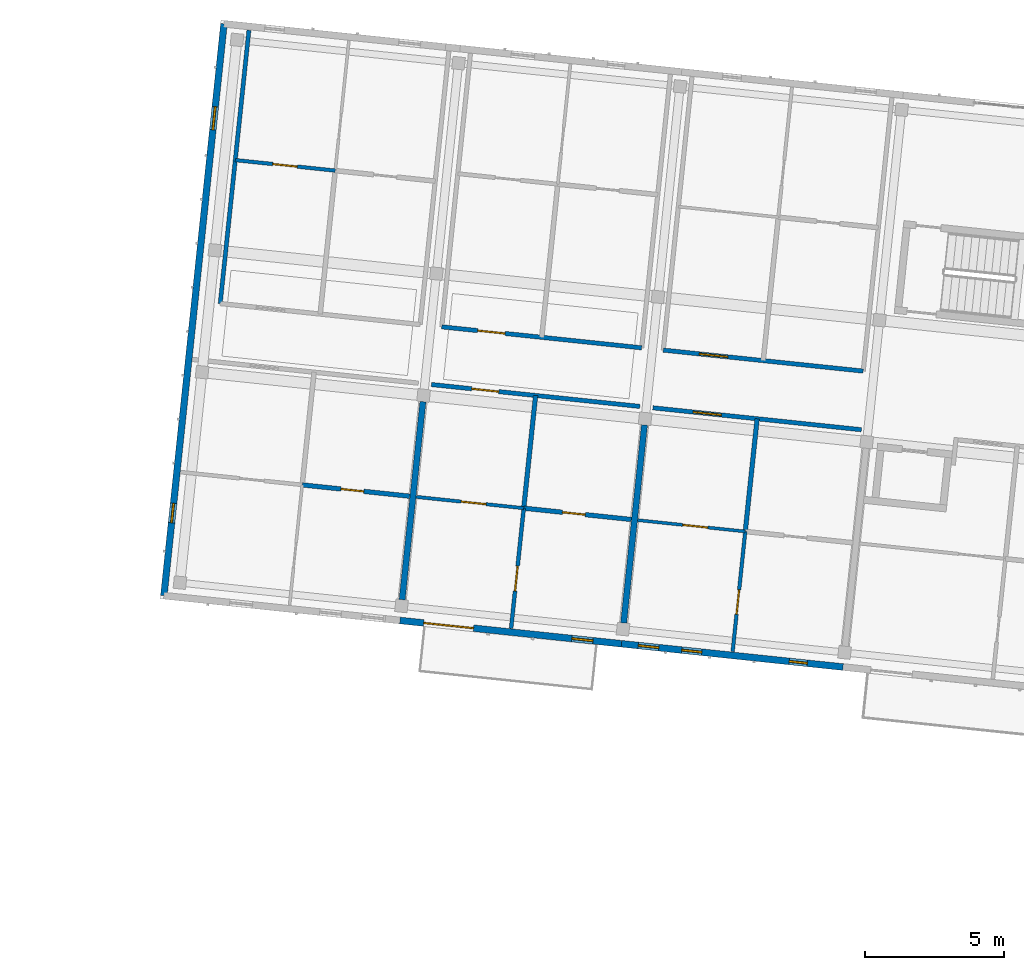
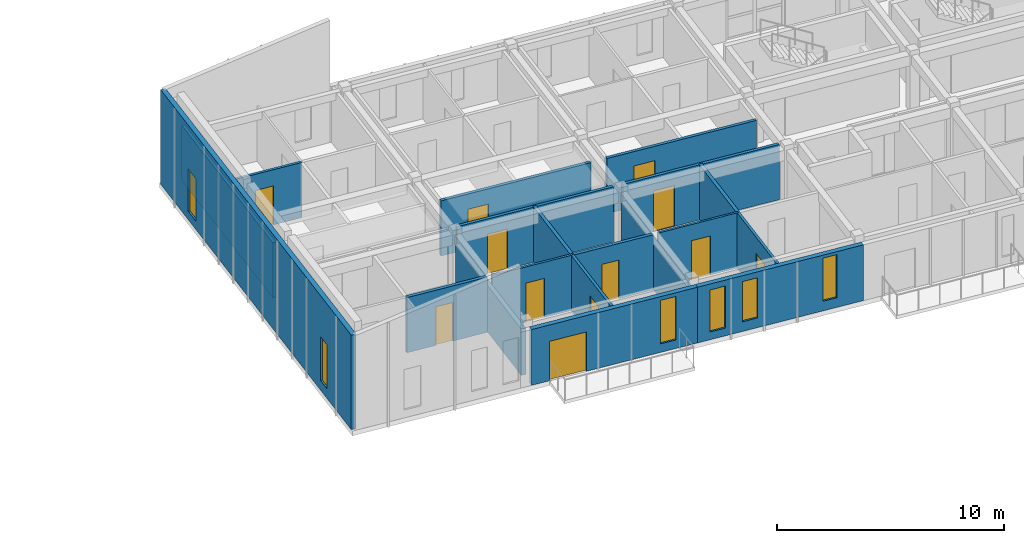
# One storey, part 24 of 45: 19 walls, 12 doors, 6 windows, 18 openings.
"""IFC4 building model written with IfcOpenShell, lengths in metres."""

from ifc_helpers import new_model, si_unit, direction, frame, frame_2d, origin, place, context, subcontext, project, spatial, rectangle, extrude, material, layer, layer_set, type_object, element, fill, save


model = new_model("IFC4")

# Units and contexts
model_context = context("Model", 3, precision=1e-05, world=origin(), true_north=direction((0.0, 1.0)))
body_context = subcontext(model_context, "Body", "Model", "MODEL_VIEW")
ifc_project = project(units=[si_unit("LENGTHUNIT", "METRE"), si_unit("AREAUNIT", "SQUARE_METRE"), si_unit("VOLUMEUNIT", "CUBIC_METRE"), si_unit("PLANEANGLEUNIT", "RADIAN"), si_unit("MASSUNIT", "GRAM", prefix="KILO")], contexts=[model_context])

# Site, building, storey
site_placement = place(None, origin())
site = spatial("IfcSite", under=ifc_project, at=site_placement, CompositionType="ELEMENT")
building_placement = place(site_placement, origin())
building = spatial("IfcBuilding", under=site, at=building_placement, Name="Kestramere Prow Commons", CompositionType="ELEMENT")
storey_placement = place(building_placement, frame((0.0, 0.0, 31.14990234375)))
storey = spatial("IfcBuildingStorey", under=building, at=storey_placement, Name="L09", CompositionType="ELEMENT", Elevation=31.14990234375)

# Wall, openings, door, window
ifc_material_1 = material(Name="Fluoropolymer Standing-Seam Zinc-Aluminium Cladding", Category="aluminium")
ifc_layer_1 = layer(ifc_material_1, 0.239990234375)
ifc_layer_set_1 = layer_set([ifc_layer_1], Name="Fluoropolymer Standing-Seam Zinc-Aluminium Cladding")
wall_type_1 = type_object("IfcWallType", Name="EW-SEAM-240", PredefinedType="SOLIDWALL", material=ifc_layer_set_1)
wall_1_placement = place(storey_placement, frame((125.857421875, 92.60546875, 0.0), z_axis=(0.0, 0.0, 1.0), x_axis=(-0.994522329422, 0.104524333444, 0.0)))
wall_1 = element("IfcWall", 1, at=wall_1_placement, inside=storey, type_object=wall_type_1, Name="Block B L09 South Standing-Seam Wall 2", PredefinedType="SOLIDWALL", context=body_context, shape_type="SweptSolid", body=[
    extrude(rectangle(XDim=7.999755859375, YDim=0.239990234375, at=frame_2d((4.0, 0.0))), origin(), (0.0, 0.0, 1.0), 3.0),
])
opening_1_placement = place(wall_1_placement, frame((5.344970703125, 0.0, 0.0)))
opening_1 = element("IfcOpeningElement", 2, at=opening_1_placement, cuts=wall_1, Name="Opening GD-BAL-02", PredefinedType="OPENING", context=body_context, shape_type="SweptSolid", body=[
    extrude(rectangle(XDim=1.800048828125, YDim=2.1201171875, at=frame_2d((0.89990234375, 1.06005859375))), frame((0.0, 0.135009765625, 0.0), z_axis=(0.0, -1.0, 0.0), x_axis=(1.0, 0.0, 0.0)), (0.0, 0.0, 1.0), 0.27001953125),
])
opening_2_placement = place(wall_1_placement, frame((1.030029296875, 0.0, 0.4599609375)))
opening_2 = element("IfcOpeningElement", 3, at=opening_2_placement, cuts=wall_1, Name="Opening WN-10", PredefinedType="OPENING", context=body_context, shape_type="SweptSolid", body=[
    extrude(rectangle(XDim=0.760009765625, YDim=2.340087890625, at=frame_2d((0.3798828125, 1.169921875))), frame((0.0, 0.135009765625, 0.0), z_axis=(0.0, -1.0, 0.0), x_axis=(1.0, 0.0, 0.0)), (0.0, 0.0, 1.0), 0.27001953125),
])
ifc_material_2 = material(Name="Thermally-Broken Anodised Aluminium Glazed", Category="aluminium")
door_type_1 = type_object("IfcDoorType", Name="GD-BAL-1800", OperationType="SLIDING_TO_LEFT", PredefinedType="DOOR", material=ifc_material_2)
door_1_placement = place(opening_1_placement, origin())
door_1 = element("IfcDoor", 4, at=door_1_placement, inside=storey, type_object=door_type_1, Name="Block B L09 Balcony Door 2", OperationType="SLIDING_TO_LEFT", OverallHeight=2.1201171875, OverallWidth=1.800048828125, PredefinedType="DOOR", context=body_context, shape_type="SweptSolid", body=[
    extrude(rectangle(XDim=1.800048828125, YDim=2.1201171875, at=frame_2d((0.89990234375, 1.06005859375))), frame((0.0, 0.02490234375, 0.0), z_axis=(0.0, -1.0, 0.0), x_axis=(1.0, 0.0, 0.0)), (0.0, 0.0, 1.0), 0.050048828125),
])
fill(opening_1, door_1)
ifc_material_3 = material(Name="Low-E Laminated Double Glazing", Category="glass")
window_type_1 = type_object("IfcWindowType", Name="WN-NAR-760A", PartitioningType="SINGLE_PANEL", PredefinedType="WINDOW", material=ifc_material_3)
window_1_placement = place(opening_2_placement, origin())
window_1 = element("IfcWindow", 5, at=window_1_placement, inside=storey, type_object=window_type_1, Name="WN-B-L09-SR-1", OverallHeight=2.340087890625, OverallWidth=0.760009765625, PartitioningType="SINGLE_PANEL", PredefinedType="WINDOW", context=body_context, shape_type="SweptSolid", body=[
    extrude(rectangle(XDim=0.760009765625, YDim=2.340087890625, at=frame_2d((0.3798828125, 1.169921875))), frame((0.0, 0.030029296875, 0.0), z_axis=(0.0, -1.0, 0.0), x_axis=(1.0, 0.0, 0.0)), (0.0, 0.0, 1.0), 0.06005859375),
])
fill(opening_2, window_1)

# Wall, openings, windows
wall_2_placement = place(storey_placement, frame((133.813720703125, 91.769287109375, 0.0), z_axis=(0.0, 0.0, 1.0), x_axis=(-0.994522662826, 0.104521161134, 0.0)))
wall_2 = element("IfcWall", 6, at=wall_2_placement, inside=storey, type_object=wall_type_1, Name="Block B L09 South Standing-Seam Wall 3", PredefinedType="SOLIDWALL", context=body_context, shape_type="SweptSolid", body=[
    extrude(rectangle(XDim=8.0, YDim=0.239990234375, at=frame_2d((4.0, 0.0))), origin(), (0.0, 0.0, 1.0), 3.0),
])
opening_3_placement = place(wall_2_placement, frame((1.284912109375, 0.0, 0.52001953125)))
opening_3 = element("IfcOpeningElement", 7, at=opening_3_placement, cuts=wall_2, Name="Opening WN-05", PredefinedType="OPENING", context=body_context, shape_type="SweptSolid", body=[
    extrude(rectangle(XDim=0.659912109375, YDim=2.320068359375, at=frame_2d((0.330078125, 1.16015625))), frame((0.0, 0.135009765625, 0.0), z_axis=(0.0, -1.0, 0.0), x_axis=(1.0, 0.0, 0.0)), (0.0, 0.0, 1.0), 0.27001953125),
])
opening_4_placement = place(wall_2_placement, frame((5.10009765625, 0.0, 0.52001953125)))
opening_4 = element("IfcOpeningElement", 8, at=opening_4_placement, cuts=wall_2, Name="Opening WN-08", PredefinedType="OPENING", context=body_context, shape_type="SweptSolid", body=[
    extrude(rectangle(XDim=0.719970703125, YDim=2.159912109375, at=frame_2d((0.35986328125, 1.080078125))), frame((0.0, 0.135009765625, 0.0), z_axis=(0.0, -1.0, 0.0), x_axis=(1.0, 0.0, 0.0)), (0.0, 0.0, 1.0), 0.27001953125),
])
opening_5_placement = place(wall_2_placement, frame((6.64990234375, 0.0, 0.419921875)))
opening_5 = element("IfcOpeningElement", 9, at=opening_5_placement, cuts=wall_2, Name="Opening WN-09", PredefinedType="OPENING", context=body_context, shape_type="SweptSolid", body=[
    extrude(rectangle(XDim=0.739990234375, YDim=2.260009765625, at=frame_2d((0.3701171875, 1.1298828125))), frame((0.0, 0.135009765625, 0.0), z_axis=(0.0, -1.0, 0.0), x_axis=(1.0, 0.0, 0.0)), (0.0, 0.0, 1.0), 0.27001953125),
])
window_type_2 = type_object("IfcWindowType", Name="WN-NAR-660A", PartitioningType="SINGLE_PANEL", PredefinedType="WINDOW", material=ifc_material_3)
window_2_placement = place(opening_3_placement, origin())
window_2 = element("IfcWindow", 10, at=window_2_placement, inside=storey, type_object=window_type_2, Name="WN-B-L09-S-2-00", OverallHeight=2.320068359375, OverallWidth=0.659912109375, PartitioningType="SINGLE_PANEL", PredefinedType="WINDOW", context=body_context, shape_type="SweptSolid", body=[
    extrude(rectangle(XDim=0.659912109375, YDim=2.320068359375, at=frame_2d((0.330078125, 1.16015625))), frame((0.0, 0.030029296875, 0.0), z_axis=(0.0, -1.0, 0.0), x_axis=(1.0, 0.0, 0.0)), (0.0, 0.0, 1.0), 0.06005859375),
])
fill(opening_3, window_2)
window_type_3 = type_object("IfcWindowType", Name="WN-NAR-720A", PartitioningType="SINGLE_PANEL", PredefinedType="WINDOW", material=ifc_material_3)
window_3_placement = place(opening_4_placement, origin())
window_3 = element("IfcWindow", 11, at=window_3_placement, inside=storey, type_object=window_type_3, Name="WN-B-L09-S-2-10", OverallHeight=2.159912109375, OverallWidth=0.719970703125, PartitioningType="SINGLE_PANEL", PredefinedType="WINDOW", context=body_context, shape_type="SweptSolid", body=[
    extrude(rectangle(XDim=0.719970703125, YDim=2.159912109375, at=frame_2d((0.35986328125, 1.080078125))), frame((0.0, 0.030029296875, 0.0), z_axis=(0.0, -1.0, 0.0), x_axis=(1.0, 0.0, 0.0)), (0.0, 0.0, 1.0), 0.06005859375),
])
fill(opening_4, window_3)
window_type_4 = type_object("IfcWindowType", Name="WN-NAR-740A", PartitioningType="SINGLE_PANEL", PredefinedType="WINDOW", material=ifc_material_3)
window_4_placement = place(opening_5_placement, origin())
window_4 = element("IfcWindow", 12, at=window_4_placement, inside=storey, type_object=window_type_4, Name="WN-B-L09-S-2-11", OverallHeight=2.260009765625, OverallWidth=0.739990234375, PartitioningType="SINGLE_PANEL", PredefinedType="WINDOW", context=body_context, shape_type="SweptSolid", body=[
    extrude(rectangle(XDim=0.739990234375, YDim=2.260009765625, at=frame_2d((0.3701171875, 1.1298828125))), frame((0.0, 0.030029296875, 0.0), z_axis=(0.0, -1.0, 0.0), x_axis=(1.0, 0.0, 0.0)), (0.0, 0.0, 1.0), 0.06005859375),
])
fill(opening_5, window_4)

wall_3_placement = place(storey_placement, frame((109.423095703125, 94.332763671875, 0.0), z_axis=(0.0, 0.0, 1.0), x_axis=(0.1045253859, 0.994522218808, 0.0)))
wall_3 = element("IfcWall", 13, at=wall_3_placement, inside=storey, type_object=wall_type_1, Name="Block B L09 EAV Facet Wall", PredefinedType="SOLIDWALL", context=body_context, shape_type="SweptSolid", body=[
    extrude(rectangle(XDim=20.64990234375, YDim=0.239990234375, at=frame_2d((10.324951171875, 0.0))), origin(), (0.0, 0.0, 1.0), 5.08447265625),
])
opening_6_placement = place(wall_3_placement, frame((2.6298828125, 0.0, 0.52001953125)))
opening_6 = element("IfcOpeningElement", 14, at=opening_6_placement, cuts=wall_3, Name="Opening WN-07", PredefinedType="OPENING", context=body_context, shape_type="SweptSolid", body=[
    extrude(rectangle(XDim=0.699951171875, YDim=2.360107421875, at=frame_2d((0.35009765625, 1.18017578125))), frame((0.0, 0.135009765625, 0.0), z_axis=(0.0, -1.0, 0.0), x_axis=(1.0, 0.0, 0.0)), (0.0, 0.0, 1.0), 0.27001953125),
])
opening_7_placement = place(wall_3_placement, frame((16.820068359375, 0.0, 0.449951171875)))
opening_7 = element("IfcOpeningElement", 15, at=opening_7_placement, cuts=wall_3, Name="Opening WN-14", PredefinedType="OPENING", context=body_context, shape_type="SweptSolid", body=[
    extrude(rectangle(XDim=0.840087890625, YDim=2.280029296875, at=frame_2d((0.419921875, 1.14013671875))), frame((0.0, 0.135009765625, 0.0), z_axis=(0.0, -1.0, 0.0), x_axis=(1.0, 0.0, 0.0)), (0.0, 0.0, 1.0), 0.27001953125),
])
window_type_5 = type_object("IfcWindowType", Name="WN-NAR-700A", PartitioningType="SINGLE_PANEL", PredefinedType="WINDOW", material=ifc_material_3)
window_5_placement = place(opening_6_placement, origin())
window_5 = element("IfcWindow", 16, at=window_5_placement, inside=storey, type_object=window_type_5, Name="WN-B-L09-EAV-0", OverallHeight=2.360107421875, OverallWidth=0.699951171875, PartitioningType="SINGLE_PANEL", PredefinedType="WINDOW", context=body_context, shape_type="SweptSolid", body=[
    extrude(rectangle(XDim=0.699951171875, YDim=2.360107421875, at=frame_2d((0.35009765625, 1.18017578125))), frame((0.0, 0.030029296875, 0.0), z_axis=(0.0, -1.0, 0.0), x_axis=(1.0, 0.0, 0.0)), (0.0, 0.0, 1.0), 0.06005859375),
])
fill(opening_6, window_5)
window_type_6 = type_object("IfcWindowType", Name="WN-NAR-840A", PartitioningType="DOUBLE_PANEL_VERTICAL", PredefinedType="WINDOW", material=ifc_material_3)
window_6_placement = place(opening_7_placement, origin())
window_6 = element("IfcWindow", 17, at=window_6_placement, inside=storey, type_object=window_type_6, Name="WN-B-L09-EAV-1", OverallHeight=2.280029296875, OverallWidth=0.840087890625, PartitioningType="SINGLE_PANEL", PredefinedType="WINDOW", context=body_context, shape_type="SweptSolid", body=[
    extrude(rectangle(XDim=0.840087890625, YDim=2.280029296875, at=frame_2d((0.419921875, 1.14013671875))), frame((0.0, 0.030029296875, 0.0), z_axis=(0.0, -1.0, 0.0), x_axis=(1.0, 0.0, 0.0)), (0.0, 0.0, 1.0), 0.06005859375),
])
fill(opening_7, window_6)

# Wall, opening, door
ifc_material_4 = material(Name="Fire-Rated Calcium Silicate Wall")
ifc_layer_2 = layer(ifc_material_4, 0.155029296875)
ifc_layer_set_2 = layer_set([ifc_layer_2], Name="Fire-Rated Calcium Silicate Wall")
wall_type_2 = type_object("IfcWallType", Name="W-FIRE-150", PredefinedType="PARTITIONING", material=ifc_layer_set_2)
wall_4_placement = place(storey_placement, frame((119.0283203125, 101.915283203125, 0.0), z_axis=(0.0, 0.0, 1.0), x_axis=(0.994521430918, -0.10453288212, 0.0)))
wall_4 = element("IfcWall", 18, at=wall_4_placement, inside=storey, type_object=wall_type_2, Name="Interior Partition PW-B-L09-CS-1", PredefinedType="PARTITIONING", context=body_context, shape_type="SweptSolid", body=[
    extrude(rectangle(XDim=7.52978515625, YDim=0.155029296875, at=frame_2d((3.764892578125, 0.0))), origin(), (0.0, 0.0, 1.0), 2.97021484375),
])
opening_8_placement = place(wall_4_placement, frame((1.455078125, 0.0, 0.0)))
opening_8 = element("IfcOpeningElement", 19, at=opening_8_placement, cuts=wall_4, Name="Opening ID-04", PredefinedType="OPENING", context=body_context, shape_type="SweptSolid", body=[
    extrude(rectangle(XDim=0.97998046875, YDim=2.14990234375, at=frame_2d((0.489990234375, 1.074951171875))), frame((0.0, 0.092529296875, 0.0), z_axis=(0.0, -1.0, 0.0), x_axis=(1.0, 0.0, 0.0)), (0.0, 0.0, 1.0), 0.18505859375),
])
ifc_material_5 = material(Name="Hardwood Fire-Rated Flat Entrance Door", Category="wood")
door_type_2 = type_object("IfcDoorType", Name="FD-ENT-01", OperationType="NOTDEFINED", PredefinedType="DOOR", material=ifc_material_5)
door_2_placement = place(opening_8_placement, origin())
door_2 = element("IfcDoor", 20, at=door_2_placement, inside=storey, type_object=door_type_2, Name="Interior Door DR-B-L09-ENT-S1", OperationType="SINGLE_SWING_LEFT", OverallHeight=2.14990234375, OverallWidth=0.97998046875, PredefinedType="DOOR", context=body_context, shape_type="SweptSolid", body=[
    extrude(rectangle(XDim=0.97998046875, YDim=2.14990234375, at=frame_2d((0.489990234375, 1.074951171875))), frame((0.0, 0.02490234375, 0.0), z_axis=(0.0, -1.0, 0.0), x_axis=(1.0, 0.0, 0.0)), (0.0, 0.0, 1.0), 0.050048828125),
])
fill(opening_8, door_2)

wall_5_placement = place(storey_placement, frame((126.984375, 101.0791015625, 0.0), z_axis=(0.0, 0.0, 1.0), x_axis=(0.994521785195, -0.104529511491, 0.0)))
wall_5 = element("IfcWall", 21, at=wall_5_placement, inside=storey, type_object=wall_type_2, Name="Interior Partition PW-B-L09-CS-2", PredefinedType="PARTITIONING", context=body_context, shape_type="SweptSolid", body=[
    extrude(rectangle(XDim=7.530029296875, YDim=0.155029296875, at=frame_2d((3.76513671875, 0.0))), origin(), (0.0, 0.0, 1.0), 2.97021484375),
])
opening_9_placement = place(wall_5_placement, frame((1.455078125, 0.0, 0.0)))
opening_9 = element("IfcOpeningElement", 22, at=opening_9_placement, cuts=wall_5, Name="Opening ID-05", PredefinedType="OPENING", context=body_context, shape_type="SweptSolid", body=[
    extrude(rectangle(XDim=1.02001953125, YDim=2.199951171875, at=frame_2d((0.510009765625, 1.10009765625))), frame((0.0, 0.092529296875, 0.0), z_axis=(0.0, -1.0, 0.0), x_axis=(1.0, 0.0, 0.0)), (0.0, 0.0, 1.0), 0.18505859375),
])
door_type_3 = type_object("IfcDoorType", Name="FD-ENT-02", OperationType="NOTDEFINED", PredefinedType="DOOR", material=ifc_material_5)
door_3_placement = place(opening_9_placement, origin())
door_3 = element("IfcDoor", 23, at=door_3_placement, inside=storey, type_object=door_type_3, Name="Interior Door DR-B-L09-ENT-S2", OperationType="SINGLE_SWING_RIGHT", OverallHeight=2.199951171875, OverallWidth=1.02001953125, PredefinedType="DOOR", context=body_context, shape_type="SweptSolid", body=[
    extrude(rectangle(XDim=1.02001953125, YDim=2.199951171875, at=frame_2d((0.510009765625, 1.10009765625))), frame((0.0, 0.02490234375, 0.0), z_axis=(0.0, -1.0, 0.0), x_axis=(1.0, 0.0, 0.0)), (0.0, 0.0, 1.0), 0.050048828125),
])
fill(opening_9, door_3)

wall_6_placement = place(storey_placement, frame((119.40185546875, 103.987548828125, 0.0), z_axis=(0.0, 0.0, 1.0), x_axis=(0.994522671024, -0.104521083137, 0.0)))
wall_6 = element("IfcWall", 24, at=wall_6_placement, inside=storey, type_object=wall_type_2, Name="Interior Partition PW-B-L09-CN-1", PredefinedType="PARTITIONING", context=body_context, shape_type="SweptSolid", body=[
    extrude(rectangle(XDim=7.219970703125, YDim=0.155029296875, at=frame_2d((3.60986328125, 0.0))), origin(), (0.0, 0.0, 1.0), 2.97021484375),
])
opening_10_placement = place(wall_6_placement, frame((1.304931640625, 0.0, 0.0)))
opening_10 = element("IfcOpeningElement", 25, at=opening_10_placement, cuts=wall_6, Name="Opening ID-04", PredefinedType="OPENING", context=body_context, shape_type="SweptSolid", body=[
    extrude(rectangle(XDim=0.97998046875, YDim=2.14990234375, at=frame_2d((0.489990234375, 1.074951171875))), frame((0.0, 0.092529296875, 0.0), z_axis=(0.0, -1.0, 0.0), x_axis=(1.0, 0.0, 0.0)), (0.0, 0.0, 1.0), 0.18505859375),
])
door_4_placement = place(opening_10_placement, origin())
door_4 = element("IfcDoor", 26, at=door_4_placement, inside=storey, type_object=door_type_2, Name="Interior Door DR-B-L09-ENT-N1", OperationType="SINGLE_SWING_LEFT", OverallHeight=2.14990234375, OverallWidth=0.97998046875, PredefinedType="DOOR", context=body_context, shape_type="SweptSolid", body=[
    extrude(rectangle(XDim=0.97998046875, YDim=2.14990234375, at=frame_2d((0.489990234375, 1.074951171875))), frame((0.0, 0.02490234375, 0.0), z_axis=(0.0, -1.0, 0.0), x_axis=(1.0, 0.0, 0.0)), (0.0, 0.0, 1.0), 0.050048828125),
])
fill(opening_10, door_4)

wall_7_placement = place(storey_placement, frame((127.358154296875, 103.1513671875, 0.0), z_axis=(0.0, 0.0, 1.0), x_axis=(0.994522671024, -0.104521083137, 0.0)))
wall_7 = element("IfcWall", 27, at=wall_7_placement, inside=storey, type_object=wall_type_2, Name="Interior Partition PW-B-L09-CN-2", PredefinedType="PARTITIONING", context=body_context, shape_type="SweptSolid", body=[
    extrude(rectangle(XDim=7.219970703125, YDim=0.155029296875, at=frame_2d((3.60986328125, 0.0))), origin(), (0.0, 0.0, 1.0), 2.97021484375),
])
opening_11_placement = place(wall_7_placement, frame((1.304931640625, 0.0, 0.0)))
opening_11 = element("IfcOpeningElement", 28, at=opening_11_placement, cuts=wall_7, Name="Opening ID-05", PredefinedType="OPENING", context=body_context, shape_type="SweptSolid", body=[
    extrude(rectangle(XDim=1.02001953125, YDim=2.199951171875, at=frame_2d((0.510009765625, 1.10009765625))), frame((0.0, 0.092529296875, 0.0), z_axis=(0.0, -1.0, 0.0), x_axis=(1.0, 0.0, 0.0)), (0.0, 0.0, 1.0), 0.18505859375),
])
door_5_placement = place(opening_11_placement, origin())
door_5 = element("IfcDoor", 29, at=door_5_placement, inside=storey, type_object=door_type_3, Name="Interior Door DR-B-L09-ENT-N2", OperationType="SINGLE_SWING_RIGHT", OverallHeight=2.199951171875, OverallWidth=1.02001953125, PredefinedType="DOOR", context=body_context, shape_type="SweptSolid", body=[
    extrude(rectangle(XDim=1.02001953125, YDim=2.199951171875, at=frame_2d((0.510009765625, 1.10009765625))), frame((0.0, 0.02490234375, 0.0), z_axis=(0.0, -1.0, 0.0), x_axis=(1.0, 0.0, 0.0)), (0.0, 0.0, 1.0), 0.050048828125),
])
fill(opening_11, door_5)

ifc_material_6 = material(Name="Gypsum Acoustic Drywall")
ifc_layer_3 = layer(ifc_material_6, 0.110107421875)
ifc_layer_set_3 = layer_set([ifc_layer_3], Name="Gypsum Acoustic Drywall")
wall_type_3 = type_object("IfcWallType", Name="W-PART-110", PredefinedType="PARTITIONING", material=ifc_layer_set_3)
wall_8_placement = place(storey_placement, frame((126.439697265625, 97.0439453125, 0.0), z_axis=(0.0, 0.0, 1.0), x_axis=(0.994517154753, -0.104573557378, 0.0)))
wall_8 = element("IfcWall", 30, at=wall_8_placement, inside=storey, type_object=wall_type_3, Name="Interior Partition PW-B-L09-MIDS1-2", PredefinedType="PARTITIONING", context=body_context, shape_type="SweptSolid", body=[
    extrude(rectangle(XDim=3.884765625, YDim=0.110107421875, at=frame_2d((1.9423828125, 0.0))), origin(), (0.0, 0.0, 1.0), 2.97021484375),
])
opening_12_placement = place(wall_8_placement, frame((1.625, 0.0, 0.0)))
opening_12 = element("IfcOpeningElement", 31, at=opening_12_placement, cuts=wall_8, Name="Opening ID-08", PredefinedType="OPENING", context=body_context, shape_type="SweptSolid", body=[
    extrude(rectangle(XDim=0.89990234375, YDim=2.10009765625, at=frame_2d((0.449951171875, 1.050048828125))), frame((0.0, 0.070068359375, 0.0), z_axis=(0.0, -1.0, 0.0), x_axis=(1.0, 0.0, 0.0)), (0.0, 0.0, 1.0), 0.14013671875),
])
ifc_material_7 = material(Name="Engineered Timber Flush Door", Category="wood")
door_type_4 = type_object("IfcDoorType", Name="D-RM-01", OperationType="NOTDEFINED", PredefinedType="DOOR", material=ifc_material_7)
door_6_placement = place(opening_12_placement, origin())
door_6 = element("IfcDoor", 32, at=door_6_placement, inside=storey, type_object=door_type_4, Name="Interior Door DR-B-L09-KL-S2", OperationType="SINGLE_SWING_RIGHT", OverallHeight=2.10009765625, OverallWidth=0.89990234375, PredefinedType="DOOR", context=body_context, shape_type="SweptSolid", body=[
    extrude(rectangle(XDim=0.89990234375, YDim=2.10009765625, at=frame_2d((0.449951171875, 1.050048828125))), frame((0.0, 0.02490234375, 0.0), z_axis=(0.0, -1.0, 0.0), x_axis=(1.0, 0.0, 0.0)), (0.0, 0.0, 1.0), 0.050048828125),
])
fill(opening_12, door_6)

ifc_material_8 = material(Name="Lightweight Blockwork and Plaster", Category="masonry")
ifc_layer_4 = layer(ifc_material_8, 0.1201171875)
ifc_layer_set_4 = layer_set([ifc_layer_4], Name="Lightweight Blockwork and Plaster")
wall_type_4 = type_object("IfcWallType", Name="W-PART-120", PredefinedType="PARTITIONING", material=ifc_layer_set_4)
wall_9_placement = place(storey_placement, frame((118.4833984375, 97.880126953125, 0.0), z_axis=(0.0, 0.0, 1.0), x_axis=(0.994524375082, -0.104504867671, 0.0)))
wall_9 = element("IfcWall", 33, at=wall_9_placement, inside=storey, type_object=wall_type_4, Name="Interior Partition PW-B-L09-MIDS1-1", PredefinedType="PARTITIONING", context=body_context, shape_type="SweptSolid", body=[
    extrude(rectangle(XDim=3.885009765625, YDim=0.1201171875, at=frame_2d((1.9423828125, 0.0))), origin(), (0.0, 0.0, 1.0), 2.97021484375),
])
opening_13_placement = place(wall_9_placement, frame((1.625, 0.0, 0.0)))
opening_13 = element("IfcOpeningElement", 34, at=opening_13_placement, cuts=wall_9, Name="Opening ID-08", PredefinedType="OPENING", context=body_context, shape_type="SweptSolid", body=[
    extrude(rectangle(XDim=0.89990234375, YDim=2.10009765625, at=frame_2d((0.449951171875, 1.050048828125))), frame((0.0, 0.074951171875, 0.0), z_axis=(0.0, -1.0, 0.0), x_axis=(1.0, 0.0, 0.0)), (0.0, 0.0, 1.0), 0.150146484375),
])
door_7_placement = place(opening_13_placement, origin())
door_7 = element("IfcDoor", 35, at=door_7_placement, inside=storey, type_object=door_type_4, Name="Interior Door DR-B-L09-KL-S1", OperationType="SINGLE_SWING_RIGHT", OverallHeight=2.10009765625, OverallWidth=0.89990234375, PredefinedType="DOOR", context=body_context, shape_type="SweptSolid", body=[
    extrude(rectangle(XDim=0.89990234375, YDim=2.10009765625, at=frame_2d((0.449951171875, 1.050048828125))), frame((0.0, 0.02490234375, 0.0), z_axis=(0.0, -1.0, 0.0), x_axis=(1.0, 0.0, 0.0)), (0.0, 0.0, 1.0), 0.050048828125),
])
fill(opening_13, door_7)

ifc_layer_5 = layer(ifc_material_8, 0.1298828125)
ifc_layer_set_5 = layer_set([ifc_layer_5], Name="Lightweight Blockwork and Plaster")
wall_type_5 = type_object("IfcWallType", Name="W-PART-130", PredefinedType="PARTITIONING", material=ifc_layer_set_5)
wall_10_placement = place(storey_placement, frame((129.849609375, 92.321533203125, 0.0), z_axis=(0.0, 0.0, 1.0), x_axis=(0.104520797474, 0.994522701046, 0.0)))
wall_10 = element("IfcWall", 36, at=wall_10_placement, inside=storey, type_object=wall_type_5, Name="Interior Partition PW-B-L09-LB-S2", PredefinedType="PARTITIONING", context=body_context, shape_type="SweptSolid", body=[
    extrude(rectangle(XDim=4.33984375, YDim=0.1298828125, at=frame_2d((2.169921875, 0.0))), origin(), (0.0, 0.0, 1.0), 2.97021484375),
])
opening_14_placement = place(wall_10_placement, frame((1.35009765625, 0.0, 0.0)))
opening_14 = element("IfcOpeningElement", 37, at=opening_14_placement, cuts=wall_10, Name="Opening ID-10", PredefinedType="OPENING", context=body_context, shape_type="SweptSolid", body=[
    extrude(rectangle(XDim=0.8798828125, YDim=2.10009765625, at=frame_2d((0.43994140625, 1.050048828125))), frame((0.0, 0.079833984375, 0.0), z_axis=(0.0, -1.0, 0.0), x_axis=(1.0, 0.0, 0.0)), (0.0, 0.0, 1.0), 0.159912109375),
])
ifc_material_9 = material(Name="Engineered Timber Bedroom Door", Category="wood")
door_type_5 = type_object("IfcDoorType", Name="D-RM-03", OperationType="NOTDEFINED", PredefinedType="DOOR", material=ifc_material_9)
door_8_placement = place(opening_14_placement, origin())
door_8 = element("IfcDoor", 38, at=door_8_placement, inside=storey, type_object=door_type_5, Name="Interior Door DR-B-L09-BED-S2", OperationType="SINGLE_SWING_LEFT", OverallHeight=2.10009765625, OverallWidth=0.8798828125, PredefinedType="DOOR", context=body_context, shape_type="SweptSolid", body=[
    extrude(rectangle(XDim=0.8798828125, YDim=2.10009765625, at=frame_2d((0.43994140625, 1.050048828125))), frame((0.0, 0.02490234375, 0.0), z_axis=(0.0, -1.0, 0.0), x_axis=(1.0, 0.0, 0.0)), (0.0, 0.0, 1.0), 0.050048828125),
])
fill(opening_14, door_8)

wall_11_placement = place(storey_placement, frame((111.987060546875, 109.975341796875, 0.0), z_axis=(0.0, 0.0, 1.0), x_axis=(0.994526554618, -0.104484123955, 0.0)))
wall_11 = element("IfcWall", 39, at=wall_11_placement, inside=storey, type_object=wall_type_5, Name="Interior Partition PW-B-L09-MIDN1-0", PredefinedType="PARTITIONING", context=body_context, shape_type="SweptSolid", body=[
    extrude(rectangle(XDim=3.610107421875, YDim=0.1298828125, at=frame_2d((1.80517578125, 0.0))), origin(), (0.0, 0.0, 1.0), 2.97021484375),
])
opening_15_placement = place(wall_11_placement, frame((1.35498046875, 0.0, 0.0)))
opening_15 = element("IfcOpeningElement", 40, at=opening_15_placement, cuts=wall_11, Name="Opening ID-10", PredefinedType="OPENING", context=body_context, shape_type="SweptSolid", body=[
    extrude(rectangle(XDim=0.8798828125, YDim=2.10009765625, at=frame_2d((0.43994140625, 1.050048828125))), frame((0.0, 0.079833984375, 0.0), z_axis=(0.0, -1.0, 0.0), x_axis=(1.0, 0.0, 0.0)), (0.0, 0.0, 1.0), 0.159912109375),
])
door_9_placement = place(opening_15_placement, origin())
door_9 = element("IfcDoor", 41, at=door_9_placement, inside=storey, type_object=door_type_5, Name="Interior Door DR-B-L09-KL-N0", OperationType="SINGLE_SWING_LEFT", OverallHeight=2.10009765625, OverallWidth=0.8798828125, PredefinedType="DOOR", context=body_context, shape_type="SweptSolid", body=[
    extrude(rectangle(XDim=0.8798828125, YDim=2.10009765625, at=frame_2d((0.43994140625, 1.050048828125))), frame((0.0, 0.02490234375, 0.0), z_axis=(0.0, -1.0, 0.0), x_axis=(1.0, 0.0, 0.0)), (0.0, 0.0, 1.0), 0.050048828125),
])
fill(opening_15, door_9)

ifc_material_10 = material(Name="Masonry Compartment Wall", Category="masonry")
ifc_layer_6 = layer(ifc_material_10, 0.139892578125)
ifc_layer_set_6 = layer_set([ifc_layer_6], Name="Masonry Compartment Wall")
wall_type_6 = type_object("IfcWallType", Name="W-PART-140", PredefinedType="PARTITIONING", material=ifc_layer_set_6)
wall_12_placement = place(storey_placement, frame((121.8935546875, 93.15771484375, 0.0), z_axis=(0.0, 0.0, 1.0), x_axis=(0.104514950243, 0.994523315552, 0.0)))
wall_12 = element("IfcWall", 42, at=wall_12_placement, inside=storey, type_object=wall_type_6, Name="Interior Partition PW-B-L09-LB-S1", PredefinedType="PARTITIONING", context=body_context, shape_type="SweptSolid", body=[
    extrude(rectangle(XDim=4.340087890625, YDim=0.139892578125, at=frame_2d((2.169921875, 0.0))), origin(), (0.0, 0.0, 1.0), 2.97021484375),
])
opening_16_placement = place(wall_12_placement, frame((1.35009765625, 0.0, 0.0)))
opening_16 = element("IfcOpeningElement", 43, at=opening_16_placement, cuts=wall_12, Name="Opening ID-08", PredefinedType="OPENING", context=body_context, shape_type="SweptSolid", body=[
    extrude(rectangle(XDim=0.89990234375, YDim=2.10009765625, at=frame_2d((0.449951171875, 1.050048828125))), frame((0.0, 0.0849609375, 0.0), z_axis=(0.0, -1.0, 0.0), x_axis=(1.0, 0.0, 0.0)), (0.0, 0.0, 1.0), 0.169921875),
])
door_10_placement = place(opening_16_placement, origin())
door_10 = element("IfcDoor", 44, at=door_10_placement, inside=storey, type_object=door_type_4, Name="Interior Door DR-B-L09-BED-S1", OperationType="SINGLE_SWING_RIGHT", OverallHeight=2.10009765625, OverallWidth=0.89990234375, PredefinedType="DOOR", context=body_context, shape_type="SweptSolid", body=[
    extrude(rectangle(XDim=0.89990234375, YDim=2.10009765625, at=frame_2d((0.449951171875, 1.050048828125))), frame((0.0, 0.02490234375, 0.0), z_axis=(0.0, -1.0, 0.0), x_axis=(1.0, 0.0, 0.0)), (0.0, 0.0, 1.0), 0.050048828125),
])
fill(opening_16, door_10)

# Wall
ifc_layer_7 = layer(ifc_material_10, 0.14990234375)
ifc_layer_set_7 = layer_set([ifc_layer_7], Name="Masonry Compartment Wall")
wall_type_7 = type_object("IfcWallType", Name="W-PART-150", PredefinedType="PARTITIONING", material=ifc_layer_set_7)
wall_13_placement = place(storey_placement, frame((111.44580078125, 104.82373046875, 0.0), z_axis=(0.0, 0.0, 1.0), x_axis=(0.104508379977, 0.994524006002, 0.0)))
element("IfcWall", 45, at=wall_13_placement, inside=storey, type_object=wall_type_7, Name="Interior Partition PW-B-L09-NWL-0", PredefinedType="PARTITIONING", context=body_context, shape_type="SweptSolid", body=[
    extrude(rectangle(XDim=9.869873046875, YDim=0.14990234375, at=frame_2d((4.93505859375, 0.0))), origin(), (0.0, 0.0, 1.0), 2.97021484375),
])

# Wall, opening, door
ifc_material_11 = material(Name="Waterproof Sanitary Masonry Wall", Category="masonry")
ifc_layer_8 = layer(ifc_material_11, 0.1650390625)
ifc_layer_set_8 = layer_set([ifc_layer_8], Name="Waterproof Sanitary Masonry Wall")
wall_type_8 = type_object("IfcWallType", Name="W-PLUMB-150", PredefinedType="PLUMBINGWALL", material=ifc_layer_set_8)
wall_14_placement = place(storey_placement, frame((114.390869140625, 98.310302734375, 0.0), z_axis=(0.0, 0.0, 1.0), x_axis=(0.994517841934, -0.104567021925, 0.0)))
wall_14 = element("IfcWall", 46, at=wall_14_placement, inside=storey, type_object=wall_type_8, Name="Interior Partition PW-B-L09-MIDS2-0", PredefinedType="PLUMBINGWALL", context=body_context, shape_type="SweptSolid", body=[
    extrude(rectangle(XDim=3.885009765625, YDim=0.1650390625, at=frame_2d((1.9423828125, 0.0))), origin(), (0.0, 0.0, 1.0), 2.97021484375),
])
opening_17_placement = place(wall_14_placement, frame((1.39990234375, 0.0, 0.0)))
opening_17 = element("IfcOpeningElement", 47, at=opening_17_placement, cuts=wall_14, Name="Opening ID-11", PredefinedType="OPENING", context=body_context, shape_type="SweptSolid", body=[
    extrude(rectangle(XDim=0.820068359375, YDim=2.080078125, at=frame_2d((0.41015625, 1.0400390625))), frame((0.0, 0.097412109375, 0.0), z_axis=(0.0, -1.0, 0.0), x_axis=(1.0, 0.0, 0.0)), (0.0, 0.0, 1.0), 0.195068359375),
])
ifc_material_12 = material(Name="Moisture-Resistant Timber Bathroom Door", Category="wood")
door_type_6 = type_object("IfcDoorType", Name="D-BT-01", OperationType="NOTDEFINED", PredefinedType="DOOR", material=ifc_material_12)
door_11_placement = place(opening_17_placement, origin())
door_11 = element("IfcDoor", 48, at=door_11_placement, inside=storey, type_object=door_type_6, Name="Interior Door DR-B-L09-BTH-S0", OperationType="SINGLE_SWING_LEFT", OverallHeight=2.080078125, OverallWidth=0.820068359375, PredefinedType="DOOR", context=body_context, shape_type="SweptSolid", body=[
    extrude(rectangle(XDim=0.820068359375, YDim=2.080078125, at=frame_2d((0.41015625, 1.0400390625))), frame((0.0, 0.02490234375, 0.0), z_axis=(0.0, -1.0, 0.0), x_axis=(1.0, 0.0, 0.0)), (0.0, 0.0, 1.0), 0.050048828125),
])
fill(opening_17, door_11)

wall_15_placement = place(storey_placement, frame((122.34716796875, 97.47412109375, 0.0), z_axis=(0.0, 0.0, 1.0), x_axis=(0.994517841934, -0.104567021925, 0.0)))
wall_15 = element("IfcWall", 49, at=wall_15_placement, inside=storey, type_object=wall_type_8, Name="Interior Partition PW-B-L09-MIDS2-1", PredefinedType="PLUMBINGWALL", context=body_context, shape_type="SweptSolid", body=[
    extrude(rectangle(XDim=3.885009765625, YDim=0.1650390625, at=frame_2d((1.9423828125, 0.0))), origin(), (0.0, 0.0, 1.0), 2.97021484375),
])
opening_18_placement = place(wall_15_placement, frame((1.39990234375, 0.0, 0.0)))
opening_18 = element("IfcOpeningElement", 50, at=opening_18_placement, cuts=wall_15, Name="Opening ID-11", PredefinedType="OPENING", context=body_context, shape_type="SweptSolid", body=[
    extrude(rectangle(XDim=0.820068359375, YDim=2.080078125, at=frame_2d((0.41015625, 1.0400390625))), frame((0.0, 0.097412109375, 0.0), z_axis=(0.0, -1.0, 0.0), x_axis=(1.0, 0.0, 0.0)), (0.0, 0.0, 1.0), 0.195068359375),
])
door_12_placement = place(opening_18_placement, origin())
door_12 = element("IfcDoor", 51, at=door_12_placement, inside=storey, type_object=door_type_6, Name="Interior Door DR-B-L09-BTH-S1", OperationType="SINGLE_SWING_LEFT", OverallHeight=2.080078125, OverallWidth=0.820068359375, PredefinedType="DOOR", context=body_context, shape_type="SweptSolid", body=[
    extrude(rectangle(XDim=0.820068359375, YDim=2.080078125, at=frame_2d((0.41015625, 1.0400390625))), frame((0.0, 0.02490234375, 0.0), z_axis=(0.0, -1.0, 0.0), x_axis=(1.0, 0.0, 0.0)), (0.0, 0.0, 1.0), 0.050048828125),
])
fill(opening_18, door_12)

# Walls
wall_16_placement = place(storey_placement, frame((122.34716796875, 97.47412109375, 0.0), z_axis=(0.0, 0.0, 1.0), x_axis=(0.104497425874, 0.99452515704, 0.0)))
element("IfcWall", 52, at=wall_16_placement, inside=storey, type_object=wall_type_8, Name="Interior Partition PW-B-L09-KB-S1", PredefinedType="PLUMBINGWALL", context=body_context, shape_type="SweptSolid", body=[
    extrude(rectangle(XDim=4.06982421875, YDim=0.1650390625, at=frame_2d((2.034912109375, 0.0))), origin(), (0.0, 0.0, 1.0), 2.97021484375),
])
wall_17_placement = place(storey_placement, frame((130.30322265625, 96.6376953125, 0.0), z_axis=(0.0, 0.0, 1.0), x_axis=(0.104550520052, 0.99451957686, 0.0)))
element("IfcWall", 53, at=wall_17_placement, inside=storey, type_object=wall_type_8, Name="Interior Partition PW-B-L09-KB-S2", PredefinedType="PLUMBINGWALL", context=body_context, shape_type="SweptSolid", body=[
    extrude(rectangle(XDim=4.070068359375, YDim=0.1650390625, at=frame_2d((2.03515625, 0.0))), origin(), (0.0, 0.0, 1.0), 2.97021484375),
])
ifc_material_13 = material(Name="Precast concrete C40/50", Category="concrete")
ifc_layer_9 = layer(ifc_material_13, 0.219970703125)
ifc_layer_set_9 = layer_set([ifc_layer_9], Name="Precast concrete C40/50")
wall_type_9 = type_object("IfcWallType", Name="W-XWALL-220", PredefinedType="SHEAR", material=ifc_layer_set_9)
wall_18_placement = place(storey_placement, frame((117.979736328125, 94.1875, 0.0), z_axis=(0.0, 0.0, 1.0), x_axis=(0.104519481265, 0.994522839374, 0.0)))
element("IfcWall", 54, at=wall_18_placement, inside=storey, type_object=wall_type_9, Name="Block B L09 Precast Cross-Wall 1", PredefinedType="SHEAR", context=body_context, shape_type="SweptSolid", body=[
    extrude(rectangle(XDim=7.14990234375, YDim=0.219970703125, at=frame_2d((3.574951171875, 0.0))), origin(), (0.0, 0.0, 1.0), 2.5),
])
wall_19_placement = place(storey_placement, frame((125.935791015625, 93.351318359375, 0.0), z_axis=(0.0, 0.0, 1.0), x_axis=(0.104553253602, 0.994519289487, 0.0)))
element("IfcWall", 55, at=wall_19_placement, inside=storey, type_object=wall_type_9, Name="Block B L09 Precast Cross-Wall 2", PredefinedType="SHEAR", context=body_context, shape_type="SweptSolid", body=[
    extrude(rectangle(XDim=7.150146484375, YDim=0.219970703125, at=frame_2d((3.5751953125, 0.0))), origin(), (0.0, 0.0, 1.0), 2.5),
])

save(model, "model.ifc")
